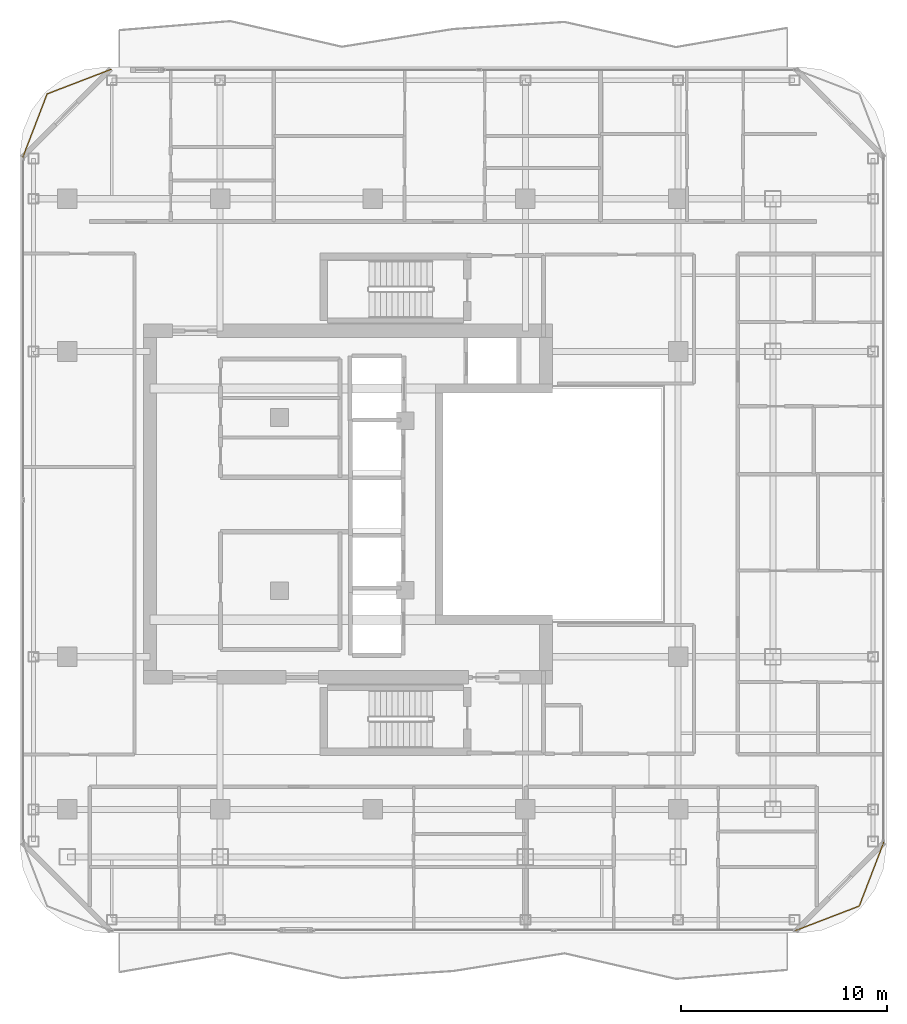
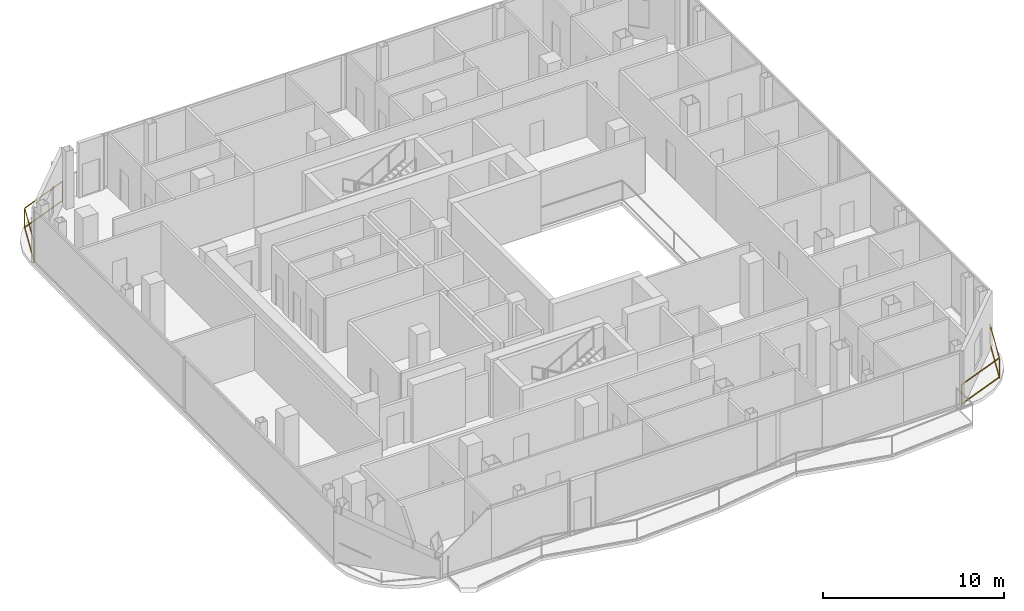
# One storey, part 22 of 23: 2 railings.
"""IFC4 building model written with IfcOpenShell, lengths in metres."""

from ifc_helpers import new_model, si_unit, direction, frame, origin, origin_2d, place, context, subcontext, project, spatial, rectangle, extrude, material, type_object, element, save


model = new_model("IFC4")

# Units and contexts
model_context = context("Model", 3, precision=1e-05, world=origin(), true_north=direction((0.0, 1.0)))
body_context = subcontext(model_context, "Body", "Model", "MODEL_VIEW")
ifc_project = project(units=[si_unit("LENGTHUNIT", "METRE"), si_unit("AREAUNIT", "SQUARE_METRE"), si_unit("VOLUMEUNIT", "CUBIC_METRE"), si_unit("PLANEANGLEUNIT", "RADIAN"), si_unit("MASSUNIT", "GRAM", prefix="KILO")], contexts=[model_context])

# Site, building, storey
site_placement = place(None, origin())
site = spatial("IfcSite", under=ifc_project, at=site_placement, CompositionType="ELEMENT")
building_placement = place(site_placement, origin())
building = spatial("IfcBuilding", under=site, at=building_placement, Name="Khorvyn Point Tower", CompositionType="ELEMENT")
storey_placement = place(building_placement, frame((0.0, 0.0, 258.60009765625)))
storey = spatial("IfcBuildingStorey", under=building, at=storey_placement, Name="L63", CompositionType="ELEMENT", Elevation=258.60009765625)

# Railings
ifc_material = material(Name="Anodised aluminium 6063-T6 and laminated safety glass", Category="aluminium")
railing_type = type_object("IfcRailingType", Name="Laminated Glass and Aluminium Balcony Guardrail 1400", PredefinedType="BALUSTRADE", material=ifc_material)
railing_1_placement = place(storey_placement, frame((-12.6865234375, 21.074462890625, 0.0)))
element("IfcRailing", 1, at=railing_1_placement, inside=storey, type_object=railing_type, Name="L63 Rounded Corner Edge Guardrail NW", PredefinedType="BALUSTRADE", context=body_context, shape_type="SweptSolid", body=[
    extrude(rectangle(XDim=0.048095703125, YDim=0.048095703125, at=origin_2d()), frame((0.0, 0.0, 1.3759765625), z_axis=(-0.93357103624, -0.358392411044, 0.0), x_axis=(0.358392411044, -0.93357103624, 0.0)), (0.0, 0.0, 1.0), 3.31884765625),
    extrude(rectangle(XDim=0.048095703125, YDim=0.048095703125, at=origin_2d()), frame((0.0, 0.0, 0.080078125), z_axis=(-0.93357103624, -0.358392411044, 0.0), x_axis=(0.358392411044, -0.93357103624, 0.0)), (0.0, 0.0, 1.0), 3.31884765625),
    extrude(rectangle(XDim=0.048095703125, YDim=0.048095703125, at=origin_2d()), frame((-3.098388671875, -1.189453125, 1.3759765625), z_axis=(-0.358392411044, -0.93357103624, 0.0), x_axis=(0.93357103624, -0.358392411044, 0.0)), (0.0, 0.0, 1.0), 3.31884765625),
    extrude(rectangle(XDim=0.048095703125, YDim=0.048095703125, at=origin_2d()), frame((-3.098388671875, -1.189453125, 0.080078125), z_axis=(-0.358392411044, -0.93357103624, 0.0), x_axis=(0.93357103624, -0.358392411044, 0.0)), (0.0, 0.0, 1.0), 3.31884765625),
    extrude(rectangle(XDim=0.0419921875, YDim=0.0419921875, at=origin_2d()), origin(), (0.0, 0.0, 1.0), 1.351806640625),
    extrude(rectangle(XDim=0.0419921875, YDim=0.0419921875, at=origin_2d()), frame((-3.098388671875, -1.189453125, 0.0)), (0.0, 0.0, 1.0), 1.351806640625),
    extrude(rectangle(XDim=0.0419921875, YDim=0.0419921875, at=origin_2d()), frame((-4.287841796875, -4.287841796875, 0.0)), (0.0, 0.0, 1.0), 1.351806640625),
])
railing_2_placement = place(storey_placement, frame((20.486572265625, -20.67431640625, 0.0)))
element("IfcRailing", 2, at=railing_2_placement, inside=storey, type_object=railing_type, Name="L63 Rounded Corner Edge Guardrail SE", PredefinedType="BALUSTRADE", context=body_context, shape_type="SweptSolid", body=[
    extrude(rectangle(XDim=0.048095703125, YDim=0.048095703125, at=origin_2d()), frame((0.0, 0.0, 1.3759765625), z_axis=(0.933595647299, 0.358328295484, 0.0), x_axis=(-0.358328295484, 0.933595647299, 0.0)), (0.0, 0.0, 1.0), 3.31884765625),
    extrude(rectangle(XDim=0.048095703125, YDim=0.048095703125, at=origin_2d()), frame((0.0, 0.0, 0.080078125), z_axis=(0.933595647299, 0.358328295484, 0.0), x_axis=(-0.358328295484, 0.933595647299, 0.0)), (0.0, 0.0, 1.0), 3.31884765625),
    extrude(rectangle(XDim=0.048095703125, YDim=0.048095703125, at=origin_2d()), frame((3.098388671875, 1.189208984375, 1.3759765625), z_axis=(0.358367799998, 0.933580483903, 0.0), x_axis=(-0.933580483903, 0.358367799998, 0.0)), (0.0, 0.0, 1.0), 3.319091796875),
    extrude(rectangle(XDim=0.048095703125, YDim=0.048095703125, at=origin_2d()), frame((3.098388671875, 1.189208984375, 0.080078125), z_axis=(0.358367799998, 0.933580483903, 0.0), x_axis=(-0.933580483903, 0.358367799998, 0.0)), (0.0, 0.0, 1.0), 3.319091796875),
    extrude(rectangle(XDim=0.0419921875, YDim=0.0419921875, at=origin_2d()), origin(), (0.0, 0.0, 1.0), 1.351806640625),
    extrude(rectangle(XDim=0.0419921875, YDim=0.0419921875, at=origin_2d()), frame((3.098388671875, 1.189208984375, 0.0)), (0.0, 0.0, 1.0), 1.351806640625),
    extrude(rectangle(XDim=0.0419921875, YDim=0.0419921875, at=origin_2d()), frame((4.287841796875, 4.287841796875, 0.0)), (0.0, 0.0, 1.0), 1.351806640625),
])

save(model, "model.ifc")
